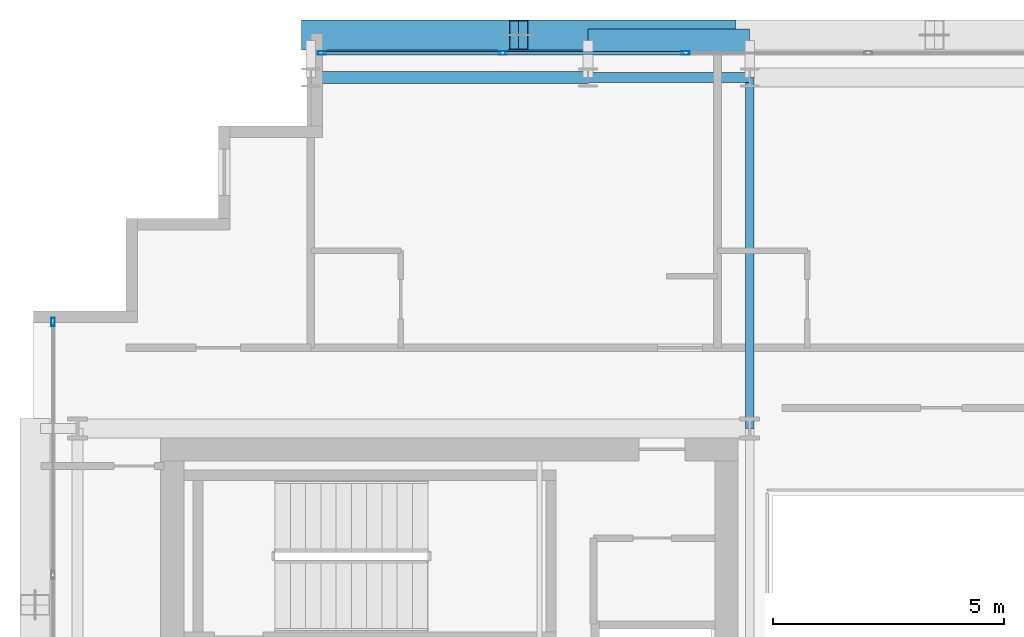
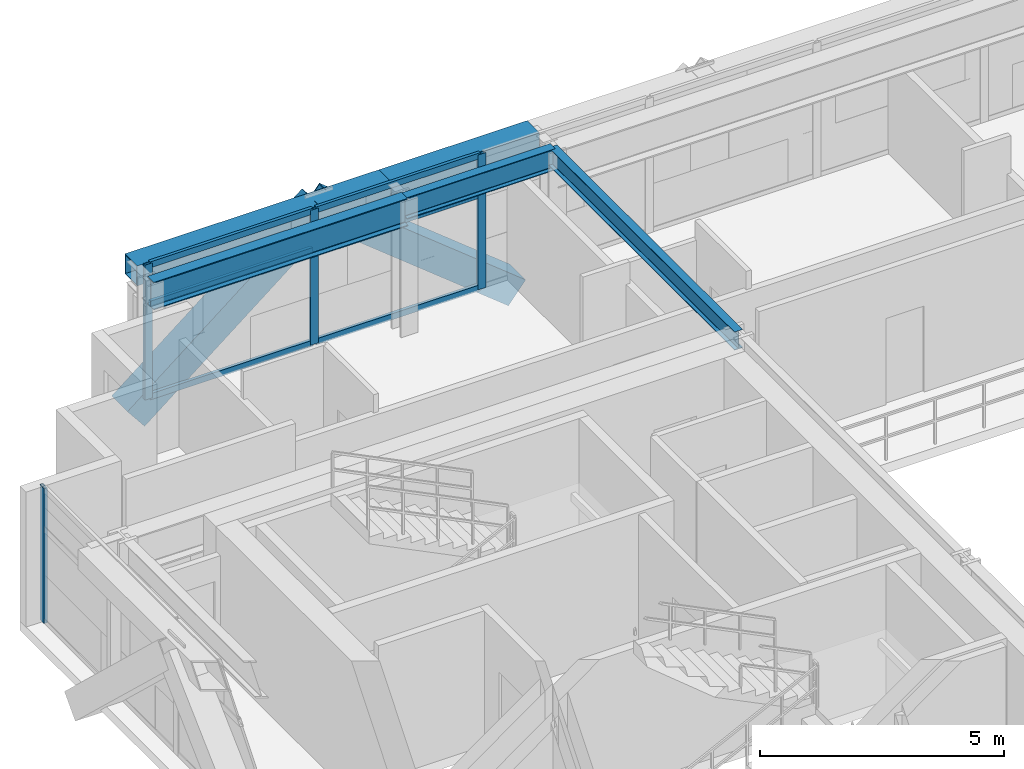
# One storey, part 16 of 31: 12 members, 5 beams, 2 elements without a shape of their own.
"""IFC4 building model written with IfcOpenShell, lengths in metres."""

from ifc_helpers import new_model, si_unit, direction, frame, origin, origin_2d, place, context, subcontext, project, spatial, hollow_rectangle, i_section, extrude, source, transform, mapped, material, layer, layer_set, material_profile, profile_set, type_object, element, aggregate, save


model = new_model("IFC4")

# Units and contexts
model_context = context("Model", 3, precision=1e-05, world=origin(), true_north=direction((0.0, 1.0)))
body_context = subcontext(model_context, "Body", "Model", "MODEL_VIEW")
ifc_project = project(units=[si_unit("LENGTHUNIT", "METRE"), si_unit("AREAUNIT", "SQUARE_METRE"), si_unit("VOLUMEUNIT", "CUBIC_METRE"), si_unit("PLANEANGLEUNIT", "RADIAN"), si_unit("MASSUNIT", "GRAM", prefix="KILO")], contexts=[model_context])

# Site, building, storey
site_placement = place(None, origin())
site = spatial("IfcSite", under=ifc_project, at=site_placement, CompositionType="ELEMENT")
building_placement = place(site_placement, origin())
building = spatial("IfcBuilding", under=site, at=building_placement, Name="Ocotamira Hotel", CompositionType="ELEMENT")
storey_placement = place(building_placement, frame((0.0, 0.0, 174.0)))
storey = spatial("IfcBuildingStorey", under=building, at=storey_placement, Name="L43", CompositionType="ELEMENT", Elevation=174.0)

# Beams
ifc_material_1 = material(Name="Steel ASTM A992 Grade 50", Category="steel")
ifc_material_profile_1 = material_profile(ifc_material_1, i_section(OverallWidth=0.256103515625, OverallDepth=0.693115234375, WebThickness=0.014404296875, FlangeThickness=0.023681640625, FilletRadius=0.01611328125, at=origin_2d()), Name="W27X114")
ifc_profile_set_1 = profile_set([ifc_material_profile_1], Name="Steel ASTM A992 Grade 50")
beam_type_1 = type_object("IfcBeamType", Name="BM-PRIM-W27X114", PredefinedType="BEAM", material=ifc_profile_set_1)
shared_shape_1 = source(origin(), body_context, "Body", "SweptSolid", [
    extrude(i_section(OverallWidth=0.256103515625, OverallDepth=0.693115234375, WebThickness=0.014404296875, FlangeThickness=0.023681640625, FilletRadius=0.01611328125, at=origin_2d()), origin(), (0.0, 0.0, 1.0), 6.0),
])
beam_1_placement = place(storey_placement, frame((14.0, 45.050048828125, 3.0234375), z_axis=(1.0, 0.0, 0.0), x_axis=(0.0, 1.0, 0.0)))
element("IfcBeam", 1, at=beam_1_placement, inside=storey, type_object=beam_type_1, Name="L43 Girder Y45.05 X14-20", PredefinedType="BEAM", context=body_context, shape_type="MappedRepresentation", body=[
    mapped(shared_shape_1, transform((0.0, 0.0, 0.0), scale=1.0)),
])
ifc_material_profile_2 = material_profile(ifc_material_1, i_section(OverallWidth=0.2099609375, OverallDepth=0.537109375, WebThickness=0.010986328125, FlangeThickness=0.017333984375, FilletRadius=0.012939453125, at=origin_2d()), Name="W21X68")
ifc_profile_set_2 = profile_set([ifc_material_profile_2], Name="Steel ASTM A992 Grade 50")
beam_type_2 = type_object("IfcBeamType", Name="BM-SEC-W21X68", PredefinedType="JOIST", material=ifc_profile_set_2)
shared_shape_2 = source(origin(), body_context, "Body", "SweptSolid", [
    extrude(i_section(OverallWidth=0.2099609375, OverallDepth=0.537109375, WebThickness=0.010986328125, FlangeThickness=0.017333984375, FilletRadius=0.012939453125, at=origin_2d()), origin(), (0.0, 0.0, 1.0), 3.5),
])
beam_2_placement = place(storey_placement, frame((20.0, 45.050048828125, 3.1015625), z_axis=(1.0, 0.0, 0.0), x_axis=(0.0, 1.0, 0.0)))
element("IfcBeam", 2, at=beam_2_placement, inside=storey, type_object=beam_type_2, Name="L43 Girder Y45.05 X20-23.5", PredefinedType="JOIST", context=body_context, shape_type="MappedRepresentation", body=[
    mapped(shared_shape_2, transform((0.0, 0.0, 0.0), scale=1.0)),
])
ifc_material_2 = material(Name="Steel ASTM A500 Grade C", Category="steel")
ifc_material_profile_3 = material_profile(ifc_material_2, hollow_rectangle(XDim=0.5, YDim=0.5, WallThickness=0.02001953125, at=origin_2d()), Name="HSS500X500X20")
ifc_profile_set_3 = profile_set([ifc_material_profile_3], Name="Steel ASTM A500 Grade C")
beam_type_3 = type_object("IfcBeamType", Name="BM-SPAN-HSS500", PredefinedType="USERDEFINED", material=ifc_profile_set_3)
shared_shape_3 = source(origin(), body_context, "Body", "SweptSolid", [
    extrude(hollow_rectangle(XDim=0.5, YDim=0.5, WallThickness=0.02001953125, at=origin_2d()), origin(), (0.0, 0.0, 1.0), 6.0),
])
beam_3_placement = place(storey_placement, frame((14.0, 45.85009765625, 3.1201171875), z_axis=(1.0, 0.0, 0.0), x_axis=(0.0, 1.0, 0.0)))
element("IfcBeam", 3, at=beam_3_placement, inside=storey, type_object=beam_type_3, Name="L43 Edge Spandrel N X14-20", ObjectType="SPANDREL", PredefinedType="USERDEFINED", context=body_context, shape_type="MappedRepresentation", body=[
    mapped(shared_shape_3, transform((0.0, 0.0, 0.0), scale=1.0)),
])
shared_shape_4 = source(origin(), body_context, "Body", "SweptSolid", [
    extrude(hollow_rectangle(XDim=0.5, YDim=0.5, WallThickness=0.02001953125, at=origin_2d()), origin(), (0.0, 0.0, 1.0), 3.5),
])
beam_4_placement = place(storey_placement, frame((20.0, 45.85009765625, 3.1201171875), z_axis=(1.0, 0.0, 0.0), x_axis=(0.0, 1.0, 0.0)))
element("IfcBeam", 4, at=beam_4_placement, inside=storey, type_object=beam_type_3, Name="L43 Edge Spandrel N X20-23.5", ObjectType="SPANDREL", PredefinedType="USERDEFINED", context=body_context, shape_type="MappedRepresentation", body=[
    mapped(shared_shape_4, transform((0.0, 0.0, 0.0), scale=1.0)),
])
ifc_material_profile_4 = material_profile(ifc_material_1, i_section(OverallWidth=0.18994140625, OverallDepth=0.45703125, WebThickness=0.009033203125, FlangeThickness=0.014404296875, FilletRadius=0.010009765625, at=origin_2d()), Name="W18X50")
ifc_profile_set_4 = profile_set([ifc_material_profile_4], Name="Steel ASTM A992 Grade 50")
beam_type_4 = type_object("IfcBeamType", Name="BM-SEC-W18X50", PredefinedType="JOIST", material=ifc_profile_set_4)
shared_shape_5 = source(origin(), body_context, "Body", "SweptSolid", [
    extrude(i_section(OverallWidth=0.18994140625, OverallDepth=0.45703125, WebThickness=0.009033203125, FlangeThickness=0.014404296875, FilletRadius=0.010009765625, at=origin_2d()), origin(), (0.0, 0.0, 1.0), 7.60009765625),
])
beam_5_placement = place(storey_placement, frame((23.5, 37.449951171875, 3.1416015625), z_axis=(0.0, 1.0, 0.0), x_axis=(-1.0, 0.0, 0.0)))
element("IfcBeam", 5, at=beam_5_placement, inside=storey, type_object=beam_type_4, Name="L43 Beam X23.5 Y37.45-45.05", PredefinedType="JOIST", context=body_context, shape_type="MappedRepresentation", body=[
    mapped(shared_shape_5, transform((0.0, 0.0, 0.0), scale=1.0)),
])

# Members
ifc_material_3 = material(Name="Pale-metal coated steel ASTM A913 Grade 65", Category="steel")
ifc_material_profile_5 = material_profile(ifc_material_3, hollow_rectangle(XDim=0.64990234375, YDim=0.64990234375, WallThickness=0.02197265625, at=origin_2d()), Name="BOX650X650X22")
ifc_profile_set_5 = profile_set([ifc_material_profile_5], Name="Pale-metal coated steel ASTM A913 Grade 65")
member_type_1 = type_object("IfcMemberType", Name="MEM-EXO-BOX650", PredefinedType="BRACE", material=ifc_profile_set_5)
shared_shape_6 = source(origin(), body_context, "Body", "SweptSolid", [
    extrude(hollow_rectangle(XDim=0.64990234375, YDim=0.64990234375, WallThickness=0.02197265625, at=origin_2d()), origin(), (0.0, 0.0, 1.0), 5.762939453125),
])
for number, where, z_axis, x_axis, name in (
    (6, (14.0, 45.969970703125, -0.47998046875), (0.780860543151, 0.0, 0.624705380279), (0.0, 1.0, 0.0), "L43 Exoskeleton Diagrid N0.1"),
    (7, (23.0, 45.969970703125, -0.47998046875), (-0.780860543151, 0.0, 0.624705380279), (0.0, -1.0, 0.0), "L43 Exoskeleton Diagrid N0.2"),
):
    element("IfcMember", number, at=place(storey_placement, frame(where, z_axis=z_axis, x_axis=x_axis)), inside=storey, type_object=member_type_1, Name=name, PredefinedType="BRACE", context=body_context, shape_type="MappedRepresentation", body=[
        mapped(shared_shape_6, transform((0.0, 0.0, 0.0), scale=1.0)),
    ])

# Curtain wall, members
ifc_material_4 = material(Name="Anodised pale-metal aluminium and solar glass", Category="aluminium")
ifc_layer = layer(ifc_material_4, 0.199951171875)
ifc_layer_set = layer_set([ifc_layer], Name="Anodised pale-metal aluminium and solar glass")
curtain_wall_type = type_object("IfcCurtainWallType", Name="CW-SYS4-Z3", PredefinedType="NOTDEFINED", material=ifc_layer_set)
curtain_wall_1_placement = place(storey_placement, origin())
curtain_wall_1 = element("IfcCurtainWall", 8, at=curtain_wall_1_placement, inside=storey, type_object=curtain_wall_type, Name="L43 Curtain Wall CW-4 CW-L43-N", PredefinedType="NOTDEFINED")
ifc_material_5 = material(Name="Anodised pale-metal aluminium 6063-T6", Category="aluminium")
ifc_material_profile_6 = material_profile(ifc_material_5, hollow_rectangle(XDim=0.074951171875, YDim=0.14990234375, WallThickness=0.006103515625, at=origin_2d()), Name="HSS150X75X6")
ifc_profile_set_6 = profile_set([ifc_material_profile_6], Name="Anodised pale-metal aluminium 6063-T6")
member_type_2 = type_object("IfcMemberType", Name="CWT-150X75", PredefinedType="USERDEFINED", material=ifc_profile_set_6)
shared_shape_7 = source(origin(), body_context, "Body", "SweptSolid", [
    extrude(hollow_rectangle(XDim=0.074951171875, YDim=0.14990234375, WallThickness=0.006103515625, at=origin_2d()), origin(), (0.0, 0.0, 1.0), 3.83544921875),
])
member_1_placement = place(storey_placement, frame((14.280029296875, 45.580078125, 0.03759765625), z_axis=(1.0, 0.0, 0.0), x_axis=(0.0, 1.0, 0.0)))
member_1 = element("IfcMember", 9, at=member_1_placement, type_object=member_type_2, Name="CW-4 transom 1.1", ObjectType="TRANSOM", PredefinedType="USERDEFINED", context=body_context, shape_type="MappedRepresentation", body=[
    mapped(shared_shape_7, transform((0.0, 0.0, 0.0), scale=1.0)),
])
member_2_placement = place(storey_placement, frame((14.280029296875, 45.580078125, 2.35009765625), z_axis=(1.0, 0.0, 0.0), x_axis=(0.0, 1.0, 0.0)))
member_2 = element("IfcMember", 10, at=member_2_placement, type_object=member_type_2, Name="CW-4 transom 1.2", ObjectType="TRANSOM", PredefinedType="USERDEFINED", context=body_context, shape_type="MappedRepresentation", body=[
    mapped(shared_shape_7, transform((0.0, 0.0, 0.0), scale=1.0)),
])
member_3_placement = place(storey_placement, frame((14.280029296875, 45.580078125, 3.33251953125), z_axis=(1.0, 0.0, 0.0), x_axis=(0.0, 1.0, 0.0)))
member_3 = element("IfcMember", 11, at=member_3_placement, type_object=member_type_2, Name="CW-4 transom 1.3", ObjectType="TRANSOM", PredefinedType="USERDEFINED", context=body_context, shape_type="MappedRepresentation", body=[
    mapped(shared_shape_7, transform((0.0, 0.0, 0.0), scale=1.0)),
])
shared_shape_8 = source(origin(), body_context, "Body", "SweptSolid", [
    extrude(hollow_rectangle(XDim=0.074951171875, YDim=0.14990234375, WallThickness=0.006103515625, at=origin_2d()), origin(), (0.0, 0.0, 1.0), 3.87548828125),
])
member_4_placement = place(storey_placement, frame((18.195556640625, 45.580078125, 0.03759765625), z_axis=(1.0, 0.0, 0.0), x_axis=(0.0, 1.0, 0.0)))
member_4 = element("IfcMember", 12, at=member_4_placement, type_object=member_type_2, Name="CW-4 transom 2.1", ObjectType="TRANSOM", PredefinedType="USERDEFINED", context=body_context, shape_type="MappedRepresentation", body=[
    mapped(shared_shape_8, transform((0.0, 0.0, 0.0), scale=1.0)),
])
member_5_placement = place(storey_placement, frame((18.195556640625, 45.580078125, 2.35009765625), z_axis=(1.0, 0.0, 0.0), x_axis=(0.0, 1.0, 0.0)))
member_5 = element("IfcMember", 13, at=member_5_placement, type_object=member_type_2, Name="CW-4 transom 2.2", ObjectType="TRANSOM", PredefinedType="USERDEFINED", context=body_context, shape_type="MappedRepresentation", body=[
    mapped(shared_shape_8, transform((0.0, 0.0, 0.0), scale=1.0)),
])
member_6_placement = place(storey_placement, frame((18.195556640625, 45.580078125, 3.33251953125), z_axis=(1.0, 0.0, 0.0), x_axis=(0.0, 1.0, 0.0)))
member_6 = element("IfcMember", 14, at=member_6_placement, type_object=member_type_2, Name="CW-4 transom 2.3", ObjectType="TRANSOM", PredefinedType="USERDEFINED", context=body_context, shape_type="MappedRepresentation", body=[
    mapped(shared_shape_8, transform((0.0, 0.0, 0.0), scale=1.0)),
])
ifc_material_profile_7 = material_profile(ifc_material_5, hollow_rectangle(XDim=0.080078125, YDim=0.179931640625, WallThickness=0.006103515625, at=origin_2d()), Name="HSS180X80X6")
ifc_profile_set_7 = profile_set([ifc_material_profile_7], Name="Anodised pale-metal aluminium 6063-T6")
member_type_3 = type_object("IfcMemberType", Name="CWM-180X75", PredefinedType="MULLION", material=ifc_profile_set_7)
shared_shape_9 = source(origin(), body_context, "Body", "SweptSolid", [
    extrude(hollow_rectangle(XDim=0.080078125, YDim=0.179931640625, WallThickness=0.006103515625, at=origin_2d()), origin(), (0.0, 0.0, 1.0), 3.3701171875),
])
member_7_placement = place(storey_placement, frame((14.239990234375, 45.580078125, 0.0), z_axis=(0.0, 0.0, 1.0), x_axis=(0.0, 1.0, 0.0)))
member_7 = element("IfcMember", 15, at=member_7_placement, type_object=member_type_3, Name="CW-4 mullion 1", PredefinedType="MULLION", context=body_context, shape_type="MappedRepresentation", body=[
    mapped(shared_shape_9, transform((0.0, 0.0, 0.0), scale=1.0)),
])
member_8_placement = place(storey_placement, frame((18.155517578125, 45.580078125, 0.0), z_axis=(0.0, 0.0, 1.0), x_axis=(0.0, 1.0, 0.0)))
member_8 = element("IfcMember", 16, at=member_8_placement, type_object=member_type_3, Name="CW-4 mullion 2", PredefinedType="MULLION", context=body_context, shape_type="MappedRepresentation", body=[
    mapped(shared_shape_9, transform((0.0, 0.0, 0.0), scale=1.0)),
])
member_9_placement = place(storey_placement, frame((22.111083984375, 45.580078125, 0.0), z_axis=(0.0, 0.0, 1.0), x_axis=(0.0, 1.0, 0.0)))
member_9 = element("IfcMember", 17, at=member_9_placement, type_object=member_type_3, Name="CW-4 mullion 3", PredefinedType="MULLION", context=body_context, shape_type="MappedRepresentation", body=[
    mapped(shared_shape_9, transform((0.0, 0.0, 0.0), scale=1.0)),
])
aggregate(curtain_wall_1, [member_7, member_8, member_9, member_1, member_2, member_3, member_4, member_5, member_6])

# Curtain wall, member
curtain_wall_2_placement = place(storey_placement, origin())
curtain_wall_2 = element("IfcCurtainWall", 18, at=curtain_wall_2_placement, inside=storey, type_object=curtain_wall_type, Name="L43 Curtain Wall CW-4 CW-L43-W", PredefinedType="NOTDEFINED")
member_10_placement = place(storey_placement, frame((8.419921875, 39.760009765625, 0.0), z_axis=(0.0, 0.0, 1.0), x_axis=(-1.0, 0.0, 0.0)))
member_10 = element("IfcMember", 19, at=member_10_placement, type_object=member_type_3, Name="CW-4 mullion 6", PredefinedType="MULLION", context=body_context, shape_type="MappedRepresentation", body=[
    mapped(shared_shape_9, transform((0.0, 0.0, 0.0), scale=1.0)),
])
aggregate(curtain_wall_2, [member_10])

save(model, "model.ifc")
